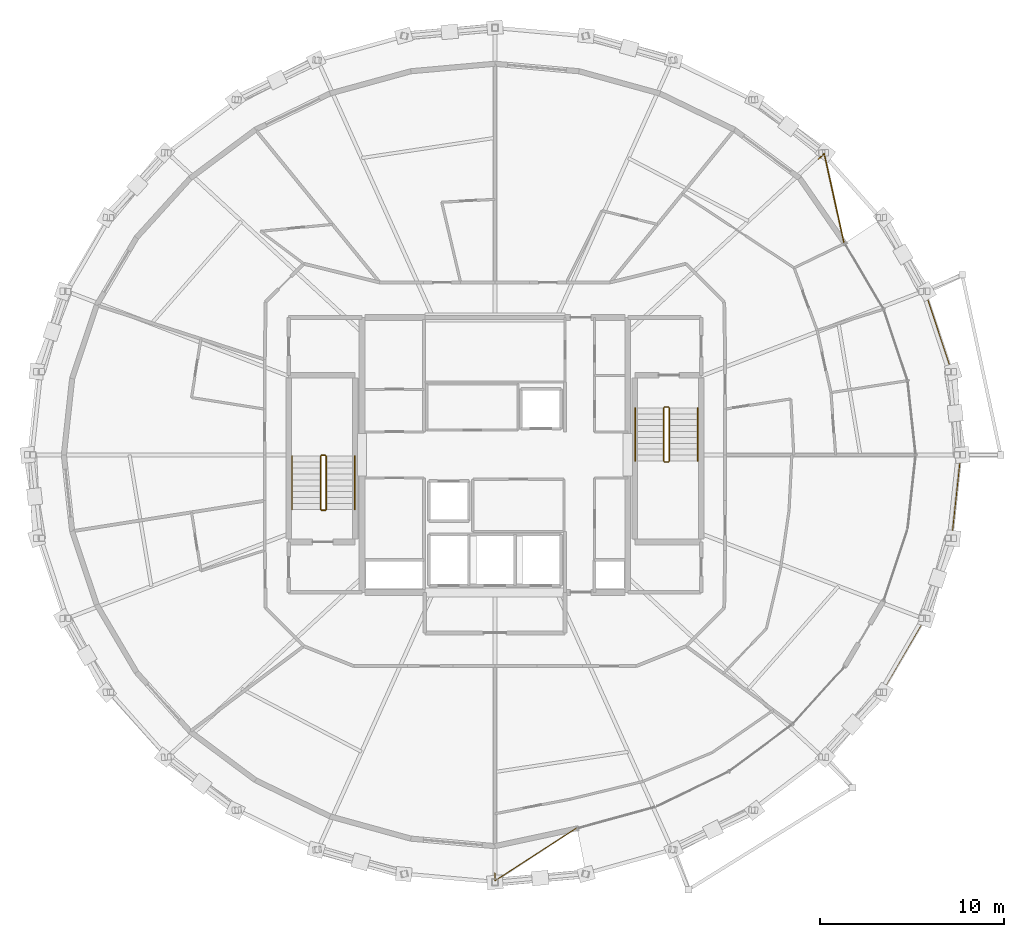
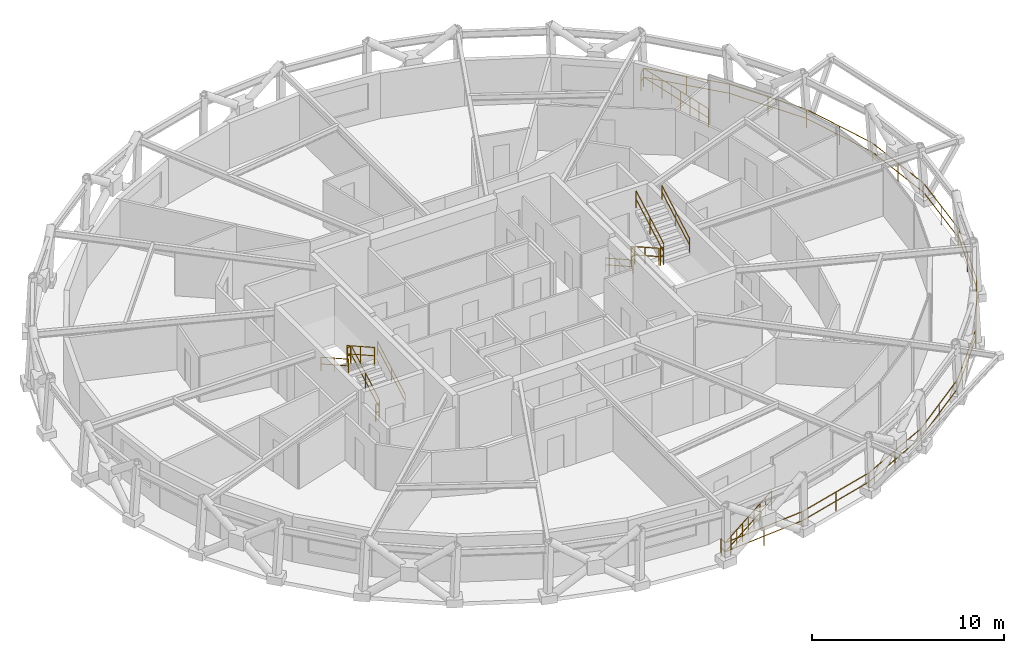
# One storey, part 18 of 18: 15 railings.
"""IFC4 building model written with IfcOpenShell, lengths in metres."""

from ifc_helpers import new_model, si_unit, direction, frame, origin, origin_2d, place, context, subcontext, project, spatial, circle, extrude, material, type_object, element, save


model = new_model("IFC4")

# Units and contexts
model_context = context("Model", 3, precision=1e-05, world=origin(), true_north=direction((0.0, 1.0)))
body_context = subcontext(model_context, "Body", "Model", "MODEL_VIEW")
ifc_project = project(units=[si_unit("LENGTHUNIT", "METRE"), si_unit("AREAUNIT", "SQUARE_METRE"), si_unit("VOLUMEUNIT", "CUBIC_METRE"), si_unit("PLANEANGLEUNIT", "RADIAN"), si_unit("MASSUNIT", "GRAM", prefix="KILO")], contexts=[model_context])

# Site, building, storey
site_placement = place(None, origin())
site = spatial("IfcSite", under=ifc_project, at=site_placement, CompositionType="ELEMENT")
building_placement = place(site_placement, origin())
building = spatial("IfcBuilding", under=site, at=building_placement, Name="Veldorina Hangang Commons", CompositionType="ELEMENT")
storey_placement = place(building_placement, frame((0.0, 0.0, 218.39990234375)))
storey = spatial("IfcBuildingStorey", under=building, at=storey_placement, Name="L56", CompositionType="ELEMENT", Elevation=218.39990234375)

# Railings
ifc_material_1 = material(Name="Glass Laminated Safety Balustrade", Category="glass")
railing_type_1 = type_object("IfcRailingType", Name="RL-BAL-LOGGIA", PredefinedType="BALUSTRADE", material=ifc_material_1)
railing_1_placement = place(storey_placement, frame((32.0, 1.333251953125, 0.0)))
element("IfcRailing", 1, at=railing_1_placement, inside=storey, type_object=railing_type_1, Name="L56 sky-garden loggia end balustrade A", PredefinedType="BALUSTRADE", context=body_context, shape_type="SweptSolid", body=[
    extrude(circle(Radius=0.02392578125, at=origin_2d()), frame((0.0, 0.0, 1.17578125), z_axis=(0.0, -1.0, 0.0), x_axis=(1.0, 0.0, 0.0)), (0.0, 0.0, 1.0), 0.419921875),
    extrude(circle(Radius=0.02392578125, at=origin_2d()), frame((0.0, 0.0, 0.60009765625), z_axis=(0.0, -1.0, 0.0), x_axis=(1.0, 0.0, 0.0)), (0.0, 0.0, 1.0), 0.419921875),
    extrude(circle(Radius=0.02392578125, at=origin_2d()), frame((0.0, -0.419921875, 1.17578125), z_axis=(0.839394318151, 0.543522932962, 0.0), x_axis=(-0.543522932962, 0.839394318151, 0.0)), (0.0, 0.0, 1.0), 5.291015625),
    extrude(circle(Radius=0.02392578125, at=origin_2d()), frame((0.0, -0.419921875, 0.60009765625), z_axis=(0.839394318151, 0.543522932962, 0.0), x_axis=(-0.543522932962, 0.839394318151, 0.0)), (0.0, 0.0, 1.0), 5.291015625),
    extrude(circle(Radius=0.02099609375, at=origin_2d()), origin(), (0.0, 0.0, 1.0), 1.15185546875),
    extrude(circle(Radius=0.02099609375, at=origin_2d()), frame((0.0, -0.419921875, 0.0)), (0.0, 0.0, 1.0), 1.15185546875),
    extrude(circle(Radius=0.02099609375, at=origin_2d()), frame((0.55517578125, -0.060546875, 0.0)), (0.0, 0.0, 1.0), 1.15185546875),
    extrude(circle(Radius=0.02099609375, at=origin_2d()), frame((1.1103515625, 0.299072265625, 0.0)), (0.0, 0.0, 1.0), 1.15185546875),
    extrude(circle(Radius=0.02099609375, at=origin_2d()), frame((1.66552734375, 0.658447265625, 0.0)), (0.0, 0.0, 1.0), 1.15185546875),
    extrude(circle(Radius=0.02099609375, at=origin_2d()), frame((2.220703125, 1.01806640625, 0.0)), (0.0, 0.0, 1.0), 1.15185546875),
    extrude(circle(Radius=0.02099609375, at=origin_2d()), frame((2.775634765625, 1.37744140625, 0.0)), (0.0, 0.0, 1.0), 1.15185546875),
    extrude(circle(Radius=0.02099609375, at=origin_2d()), frame((3.330810546875, 1.73681640625, 0.0)), (0.0, 0.0, 1.0), 1.15185546875),
    extrude(circle(Radius=0.02099609375, at=origin_2d()), frame((3.885986328125, 2.096435546875, 0.0)), (0.0, 0.0, 1.0), 1.15185546875),
    extrude(circle(Radius=0.02099609375, at=origin_2d()), frame((4.441162109375, 2.455810546875, 0.0)), (0.0, 0.0, 1.0), 1.15185546875),
])
railing_2_placement = place(storey_placement, frame((49.541259765625, 40.043701171875, 0.0)))
element("IfcRailing", 2, at=railing_2_placement, inside=storey, type_object=railing_type_1, Name="L56 sky-garden loggia end balustrade B", PredefinedType="BALUSTRADE", context=body_context, shape_type="SweptSolid", body=[
    extrude(circle(Radius=0.02392578125, at=origin_2d()), frame((0.0, 0.0, 1.17578125), z_axis=(0.737515900545, 0.675329768663, 0.0), x_axis=(-0.675329768663, 0.737515900545, 0.0)), (0.0, 0.0, 1.0), 0.420166015625),
    extrude(circle(Radius=0.02392578125, at=origin_2d()), frame((0.0, 0.0, 0.60009765625), z_axis=(0.737515900545, 0.675329768663, 0.0), x_axis=(-0.675329768663, 0.737515900545, 0.0)), (0.0, 0.0, 1.0), 0.420166015625),
    extrude(circle(Radius=0.02392578125, at=origin_2d()), frame((0.309814453125, 0.28369140625, 1.17578125), z_axis=(0.216066188557, -0.976378718614, 0.0), x_axis=(0.976378718614, 0.216066188557, 0.0)), (0.0, 0.0, 1.0), 4.995361328125),
    extrude(circle(Radius=0.02392578125, at=origin_2d()), frame((0.309814453125, 0.28369140625, 0.60009765625), z_axis=(0.216066188557, -0.976378718614, 0.0), x_axis=(0.976378718614, 0.216066188557, 0.0)), (0.0, 0.0, 1.0), 4.995361328125),
    extrude(circle(Radius=0.02099609375, at=origin_2d()), origin(), (0.0, 0.0, 1.0), 1.15185546875),
    extrude(circle(Radius=0.02099609375, at=origin_2d()), frame((0.309814453125, 0.28369140625, 0.0)), (0.0, 0.0, 1.0), 1.15185546875),
    extrude(circle(Radius=0.02099609375, at=origin_2d()), frame((0.464111328125, -0.4130859375, 0.0)), (0.0, 0.0, 1.0), 1.15185546875),
    extrude(circle(Radius=0.02099609375, at=origin_2d()), frame((0.6181640625, -1.10986328125, 0.0)), (0.0, 0.0, 1.0), 1.15185546875),
    extrude(circle(Radius=0.02099609375, at=origin_2d()), frame((0.7724609375, -1.806640625, 0.0)), (0.0, 0.0, 1.0), 1.15185546875),
    extrude(circle(Radius=0.02099609375, at=origin_2d()), frame((0.926513671875, -2.50341796875, 0.0)), (0.0, 0.0, 1.0), 1.15185546875),
    extrude(circle(Radius=0.02099609375, at=origin_2d()), frame((1.080810546875, -3.2001953125, 0.0)), (0.0, 0.0, 1.0), 1.15185546875),
    extrude(circle(Radius=0.02099609375, at=origin_2d()), frame((1.23486328125, -3.89697265625, 0.0)), (0.0, 0.0, 1.0), 1.15185546875),
    extrude(circle(Radius=0.02099609375, at=origin_2d()), frame((1.38916015625, -4.59375, 0.0)), (0.0, 0.0, 1.0), 1.15185546875),
])
railing_3_placement = place(storey_placement, frame((32.0, 0.913330078125, 0.0)))
element("IfcRailing", 3, at=railing_3_placement, inside=storey, type_object=railing_type_1, Name="L56 sky-garden loggia outer balustrade", PredefinedType="BALUSTRADE", context=body_context, shape_type="SweptSolid", body=[
    extrude(circle(Radius=0.02392578125, at=origin_2d()), frame((0.0, 0.0, 1.17578125), z_axis=(0.995971352381, 0.089671986908, 0.0), x_axis=(-0.089671986908, 0.995971352381, 0.0)), (0.0, 0.0, 1.0), 4.9443359375),
    extrude(circle(Radius=0.02392578125, at=origin_2d()), frame((0.0, 0.0, 0.60009765625), z_axis=(0.995971352381, 0.089671986908, 0.0), x_axis=(-0.089671986908, 0.995971352381, 0.0)), (0.0, 0.0, 1.0), 4.9443359375),
    extrude(circle(Radius=0.02392578125, at=origin_2d()), frame((4.92431640625, 0.443359375, 1.17578125), z_axis=(0.963646624865, 0.267180056118, 0.0), x_axis=(-0.267180056118, 0.963646624865, 0.0)), (0.0, 0.0, 1.0), 4.914306640625),
    extrude(circle(Radius=0.02392578125, at=origin_2d()), frame((4.92431640625, 0.443359375, 0.60009765625), z_axis=(0.963646624865, 0.267180056118, 0.0), x_axis=(-0.267180056118, 0.963646624865, 0.0)), (0.0, 0.0, 1.0), 4.914306640625),
    extrude(circle(Radius=0.02392578125, at=origin_2d()), frame((9.659912109375, 1.75634765625, 1.17578125), z_axis=(0.898490536886, 0.438992887331, 0.0), x_axis=(-0.438992887331, 0.898490536886, 0.0)), (0.0, 0.0, 1.0), 4.85791015625),
    extrude(circle(Radius=0.02392578125, at=origin_2d()), frame((9.659912109375, 1.75634765625, 0.60009765625), z_axis=(0.898490536886, 0.438992887331, 0.0), x_axis=(-0.438992887331, 0.898490536886, 0.0)), (0.0, 0.0, 1.0), 4.85791015625),
    extrude(circle(Radius=0.02392578125, at=origin_2d()), frame((14.024658203125, 3.888916015625, 1.17578125), z_axis=(0.799944873772, 0.600073494604, 0.0), x_axis=(-0.600073494604, 0.799944873772, 0.0)), (0.0, 0.0, 1.0), 4.783447265625),
    extrude(circle(Radius=0.02392578125, at=origin_2d()), frame((14.024658203125, 3.888916015625, 0.60009765625), z_axis=(0.799944873772, 0.600073494604, 0.0), x_axis=(-0.600073494604, 0.799944873772, 0.0)), (0.0, 0.0, 1.0), 4.783447265625),
    extrude(circle(Radius=0.02392578125, at=origin_2d()), frame((17.85107421875, 6.75927734375, 1.17578125), z_axis=(0.668043227933, 0.744122466811, 0.0), x_axis=(-0.744122466811, 0.668043227933, 0.0)), (0.0, 0.0, 1.0), 4.701171875),
    extrude(circle(Radius=0.02392578125, at=origin_2d()), frame((17.85107421875, 6.75927734375, 0.60009765625), z_axis=(0.668043227933, 0.744122466811, 0.0), x_axis=(-0.744122466811, 0.668043227933, 0.0)), (0.0, 0.0, 1.0), 4.701171875),
    extrude(circle(Radius=0.02392578125, at=origin_2d()), frame((20.99169921875, 10.257568359375, 1.17578125), z_axis=(0.504773463638, 0.863251846454, 0.0), x_axis=(-0.863251846454, 0.504773463638, 0.0)), (0.0, 0.0, 1.0), 4.624267578125),
    extrude(circle(Radius=0.02392578125, at=origin_2d()), frame((20.99169921875, 10.257568359375, 0.60009765625), z_axis=(0.504773463638, 0.863251846454, 0.0), x_axis=(-0.863251846454, 0.504773463638, 0.0)), (0.0, 0.0, 1.0), 4.624267578125),
    extrude(circle(Radius=0.02392578125, at=origin_2d()), frame((23.325927734375, 14.24951171875, 1.17578125), z_axis=(0.314911541309, 0.949121025555, 0.0), x_axis=(-0.949121025555, 0.314911541309, 0.0)), (0.0, 0.0, 1.0), 4.56396484375),
    extrude(circle(Radius=0.02392578125, at=origin_2d()), frame((23.325927734375, 14.24951171875, 0.60009765625), z_axis=(0.314911541309, 0.949121025555, 0.0), x_axis=(-0.949121025555, 0.314911541309, 0.0)), (0.0, 0.0, 1.0), 4.56396484375),
    extrude(circle(Radius=0.02392578125, at=origin_2d()), frame((24.76318359375, 18.581298828125, 1.17578125), z_axis=(0.107160871941, 0.994241694723, 0.0), x_axis=(-0.994241694723, 0.107160871941, 0.0)), (0.0, 0.0, 1.0), 4.531494140625),
    extrude(circle(Radius=0.02392578125, at=origin_2d()), frame((24.76318359375, 18.581298828125, 0.60009765625), z_axis=(0.107160871941, 0.994241694723, 0.0), x_axis=(-0.994241694723, 0.107160871941, 0.0)), (0.0, 0.0, 1.0), 4.531494140625),
    extrude(circle(Radius=0.02392578125, at=origin_2d()), frame((25.248779296875, 23.086669921875, 1.17578125), z_axis=(-0.107160871941, 0.994241694723, 0.0), x_axis=(-0.994241694723, -0.107160871941, 0.0)), (0.0, 0.0, 1.0), 4.531494140625),
    extrude(circle(Radius=0.02392578125, at=origin_2d()), frame((25.248779296875, 23.086669921875, 0.60009765625), z_axis=(-0.107160871941, 0.994241694723, 0.0), x_axis=(-0.994241694723, -0.107160871941, 0.0)), (0.0, 0.0, 1.0), 4.531494140625),
    extrude(circle(Radius=0.02392578125, at=origin_2d()), frame((24.76318359375, 27.592041015625, 1.17578125), z_axis=(-0.314911541309, 0.949121025555, 0.0), x_axis=(-0.949121025555, -0.314911541309, 0.0)), (0.0, 0.0, 1.0), 4.56396484375),
    extrude(circle(Radius=0.02392578125, at=origin_2d()), frame((24.76318359375, 27.592041015625, 0.60009765625), z_axis=(-0.314911541309, 0.949121025555, 0.0), x_axis=(-0.949121025555, -0.314911541309, 0.0)), (0.0, 0.0, 1.0), 4.56396484375),
    extrude(circle(Radius=0.02392578125, at=origin_2d()), frame((23.325927734375, 31.923828125, 1.17578125), z_axis=(-0.504773463638, 0.863251846454, 0.0), x_axis=(-0.863251846454, -0.504773463638, 0.0)), (0.0, 0.0, 1.0), 4.624267578125),
    extrude(circle(Radius=0.02392578125, at=origin_2d()), frame((23.325927734375, 31.923828125, 0.60009765625), z_axis=(-0.504773463638, 0.863251846454, 0.0), x_axis=(-0.863251846454, -0.504773463638, 0.0)), (0.0, 0.0, 1.0), 4.624267578125),
    extrude(circle(Radius=0.02392578125, at=origin_2d()), frame((20.99169921875, 35.915771484375, 1.17578125), z_axis=(-0.668043227933, 0.744122466811, 0.0), x_axis=(-0.744122466811, -0.668043227933, 0.0)), (0.0, 0.0, 1.0), 4.701171875),
    extrude(circle(Radius=0.02392578125, at=origin_2d()), frame((20.99169921875, 35.915771484375, 0.60009765625), z_axis=(-0.668043227933, 0.744122466811, 0.0), x_axis=(-0.744122466811, -0.668043227933, 0.0)), (0.0, 0.0, 1.0), 4.701171875),
    extrude(circle(Radius=0.02099609375, at=origin_2d()), origin(), (0.0, 0.0, 1.0), 1.15185546875),
    extrude(circle(Radius=0.02099609375, at=origin_2d()), frame((2.462158203125, 0.2216796875, 0.0)), (0.0, 0.0, 1.0), 1.15185546875),
    extrude(circle(Radius=0.02099609375, at=origin_2d()), frame((4.92431640625, 0.443359375, 0.0)), (0.0, 0.0, 1.0), 1.15185546875),
    extrude(circle(Radius=0.02099609375, at=origin_2d()), frame((7.2919921875, 1.099853515625, 0.0)), (0.0, 0.0, 1.0), 1.15185546875),
    extrude(circle(Radius=0.02099609375, at=origin_2d()), frame((9.659912109375, 1.75634765625, 0.0)), (0.0, 0.0, 1.0), 1.15185546875),
    extrude(circle(Radius=0.02099609375, at=origin_2d()), frame((11.84228515625, 2.82275390625, 0.0)), (0.0, 0.0, 1.0), 1.15185546875),
    extrude(circle(Radius=0.02099609375, at=origin_2d()), frame((14.024658203125, 3.888916015625, 0.0)), (0.0, 0.0, 1.0), 1.15185546875),
    extrude(circle(Radius=0.02099609375, at=origin_2d()), frame((15.93798828125, 5.32421875, 0.0)), (0.0, 0.0, 1.0), 1.15185546875),
    extrude(circle(Radius=0.02099609375, at=origin_2d()), frame((17.85107421875, 6.75927734375, 0.0)), (0.0, 0.0, 1.0), 1.15185546875),
    extrude(circle(Radius=0.02099609375, at=origin_2d()), frame((19.42138671875, 8.50830078125, 0.0)), (0.0, 0.0, 1.0), 1.15185546875),
    extrude(circle(Radius=0.02099609375, at=origin_2d()), frame((20.99169921875, 10.257568359375, 0.0)), (0.0, 0.0, 1.0), 1.15185546875),
    extrude(circle(Radius=0.02099609375, at=origin_2d()), frame((22.15869140625, 12.25341796875, 0.0)), (0.0, 0.0, 1.0), 1.15185546875),
    extrude(circle(Radius=0.02099609375, at=origin_2d()), frame((23.325927734375, 14.24951171875, 0.0)), (0.0, 0.0, 1.0), 1.15185546875),
    extrude(circle(Radius=0.02099609375, at=origin_2d()), frame((24.04443359375, 16.41552734375, 0.0)), (0.0, 0.0, 1.0), 1.15185546875),
    extrude(circle(Radius=0.02099609375, at=origin_2d()), frame((24.76318359375, 18.581298828125, 0.0)), (0.0, 0.0, 1.0), 1.15185546875),
    extrude(circle(Radius=0.02099609375, at=origin_2d()), frame((25.005859375, 20.833984375, 0.0)), (0.0, 0.0, 1.0), 1.15185546875),
    extrude(circle(Radius=0.02099609375, at=origin_2d()), frame((25.248779296875, 23.086669921875, 0.0)), (0.0, 0.0, 1.0), 1.15185546875),
    extrude(circle(Radius=0.02099609375, at=origin_2d()), frame((25.005859375, 25.33935546875, 0.0)), (0.0, 0.0, 1.0), 1.15185546875),
    extrude(circle(Radius=0.02099609375, at=origin_2d()), frame((24.76318359375, 27.592041015625, 0.0)), (0.0, 0.0, 1.0), 1.15185546875),
    extrude(circle(Radius=0.02099609375, at=origin_2d()), frame((24.04443359375, 29.7578125, 0.0)), (0.0, 0.0, 1.0), 1.15185546875),
    extrude(circle(Radius=0.02099609375, at=origin_2d()), frame((23.325927734375, 31.923828125, 0.0)), (0.0, 0.0, 1.0), 1.15185546875),
    extrude(circle(Radius=0.02099609375, at=origin_2d()), frame((22.15869140625, 33.919921875, 0.0)), (0.0, 0.0, 1.0), 1.15185546875),
    extrude(circle(Radius=0.02099609375, at=origin_2d()), frame((20.99169921875, 35.915771484375, 0.0)), (0.0, 0.0, 1.0), 1.15185546875),
    extrude(circle(Radius=0.02099609375, at=origin_2d()), frame((19.42138671875, 37.6650390625, 0.0)), (0.0, 0.0, 1.0), 1.15185546875),
    extrude(circle(Radius=0.02099609375, at=origin_2d()), frame((17.85107421875, 39.4140625, 0.0)), (0.0, 0.0, 1.0), 1.15185546875),
])
ifc_material_2 = material(Name="Steel Painted Balustrade", Category="steel")
railing_type_2 = type_object("IfcRailingType", Name="RL-GRD-STAIR", PredefinedType="GUARDRAIL", material=ifc_material_2)
railing_4_placement = place(storey_placement, frame((22.85009765625, 21.050048828125, 0.18017578125)))
element("IfcRailing", 4, at=railing_4_placement, inside=storey, type_object=railing_type_2, Name="L56 ST-1 stair guard 1", PredefinedType="GUARDRAIL", context=body_context, shape_type="SweptSolid", body=[
    extrude(circle(Radius=0.02392578125, at=origin_2d()), frame((0.0, 0.0, 1.076171875), z_axis=(0.0, 0.871583430097, 0.490247207417), x_axis=(-1.0, 0.0, 0.0)), (0.0, 0.0, 1.0), 3.30419921875),
    extrude(circle(Radius=0.02392578125, at=origin_2d()), frame((0.0, 0.0, 0.550048828125), z_axis=(0.0, 0.871583430097, 0.490247207417), x_axis=(-1.0, 0.0, 0.0)), (0.0, 0.0, 1.0), 3.30419921875),
    extrude(circle(Radius=0.02099609375, at=origin_2d()), origin(), (0.0, 0.0, 1.0), 1.052001953125),
    extrude(circle(Radius=0.02099609375, at=origin_2d()), frame((0.0, 1.43994140625, 0.81005859375)), (0.0, 0.0, 1.0), 1.052001953125),
    extrude(circle(Radius=0.02099609375, at=origin_2d()), frame((0.0, 2.8798828125, 1.619873046875)), (0.0, 0.0, 1.0), 1.052001953125),
])
railing_5_placement = place(storey_placement, frame((22.800048828125, 23.97998046875, 1.800048828125)))
element("IfcRailing", 5, at=railing_5_placement, inside=storey, type_object=railing_type_2, Name="L56 ST-1 stair guard 2", PredefinedType="GUARDRAIL", context=body_context, shape_type="SweptSolid", body=[
    extrude(circle(Radius=0.02392578125, at=origin_2d()), frame((0.0, 0.0, 1.076171875), z_axis=(-1.0, 0.0, 0.0), x_axis=(0.0, -1.0, 0.0)), (0.0, 0.0, 1.0), 0.199951171875),
    extrude(circle(Radius=0.02392578125, at=origin_2d()), frame((0.0, 0.0, 0.550048828125), z_axis=(-1.0, 0.0, 0.0), x_axis=(0.0, -1.0, 0.0)), (0.0, 0.0, 1.0), 0.199951171875),
    extrude(circle(Radius=0.02099609375, at=origin_2d()), origin(), (0.0, 0.0, 1.0), 1.052001953125),
    extrude(circle(Radius=0.02099609375, at=origin_2d()), frame((-0.199951171875, 0.0, 0.0)), (0.0, 0.0, 1.0), 1.052001953125),
])
railing_6_placement = place(storey_placement, frame((22.550048828125, 23.929931640625, 1.97998046875)))
element("IfcRailing", 6, at=railing_6_placement, inside=storey, type_object=railing_type_2, Name="L56 ST-1 stair guard 3", PredefinedType="GUARDRAIL", context=body_context, shape_type="SweptSolid", body=[
    extrude(circle(Radius=0.02392578125, at=origin_2d()), frame((0.0, 0.0, 1.076171875), z_axis=(0.0, -0.87155185771, 0.490303333991), x_axis=(1.0, 0.0, 0.0)), (0.0, 0.0, 1.0), 3.30419921875),
    extrude(circle(Radius=0.02392578125, at=origin_2d()), frame((0.0, 0.0, 0.550048828125), z_axis=(0.0, -0.87155185771, 0.490303333991), x_axis=(1.0, 0.0, 0.0)), (0.0, 0.0, 1.0), 3.30419921875),
    extrude(circle(Radius=0.02099609375, at=origin_2d()), origin(), (0.0, 0.0, 1.0), 1.052001953125),
    extrude(circle(Radius=0.02099609375, at=origin_2d()), frame((0.0, -1.43994140625, 0.81005859375)), (0.0, 0.0, 1.0), 1.052001953125),
    extrude(circle(Radius=0.02099609375, at=origin_2d()), frame((0.0, -2.8798828125, 1.6201171875)), (0.0, 0.0, 1.0), 1.052001953125),
])
railing_7_placement = place(storey_placement, frame((22.800048828125, 21.0, 0.0)))
element("IfcRailing", 7, at=railing_7_placement, inside=storey, type_object=railing_type_2, Name="L56 ST-1 stair guard 4", PredefinedType="GUARDRAIL", context=body_context, shape_type="SweptSolid", body=[
    extrude(circle(Radius=0.02392578125, at=origin_2d()), frame((0.0, 0.0, 1.076171875), z_axis=(-1.0, 0.0, 0.0), x_axis=(0.0, -1.0, 0.0)), (0.0, 0.0, 1.0), 0.199951171875),
    extrude(circle(Radius=0.02392578125, at=origin_2d()), frame((0.0, 0.0, 0.550048828125), z_axis=(-1.0, 0.0, 0.0), x_axis=(0.0, -1.0, 0.0)), (0.0, 0.0, 1.0), 0.199951171875),
    extrude(circle(Radius=0.02099609375, at=origin_2d()), origin(), (0.0, 0.0, 1.0), 1.052001953125),
    extrude(circle(Radius=0.02099609375, at=origin_2d()), frame((-0.199951171875, 0.0, 0.0)), (0.0, 0.0, 1.0), 1.052001953125),
])
railing_8_placement = place(storey_placement, frame((41.14990234375, 26.550048828125, 0.18017578125)))
element("IfcRailing", 8, at=railing_8_placement, inside=storey, type_object=railing_type_2, Name="L56 ST-2 stair guard 1", PredefinedType="GUARDRAIL", context=body_context, shape_type="SweptSolid", body=[
    extrude(circle(Radius=0.02392578125, at=origin_2d()), frame((0.0, 0.0, 1.076171875), z_axis=(0.0, -0.871601186807, 0.490215637405), x_axis=(1.0, 0.0, 0.0)), (0.0, 0.0, 1.0), 3.304443359375),
    extrude(circle(Radius=0.02392578125, at=origin_2d()), frame((0.0, 0.0, 0.550048828125), z_axis=(0.0, -0.871601186807, 0.490215637405), x_axis=(1.0, 0.0, 0.0)), (0.0, 0.0, 1.0), 3.304443359375),
    extrude(circle(Radius=0.02099609375, at=origin_2d()), origin(), (0.0, 0.0, 1.0), 1.052001953125),
    extrude(circle(Radius=0.02099609375, at=origin_2d()), frame((0.0, -1.43994140625, 0.81005859375)), (0.0, 0.0, 1.0), 1.052001953125),
    extrude(circle(Radius=0.02099609375, at=origin_2d()), frame((0.0, -2.880126953125, 1.619873046875)), (0.0, 0.0, 1.0), 1.052001953125),
])
railing_9_placement = place(storey_placement, frame((41.199951171875, 23.6201171875, 1.800048828125)))
element("IfcRailing", 9, at=railing_9_placement, inside=storey, type_object=railing_type_2, Name="L56 ST-2 stair guard 2", PredefinedType="GUARDRAIL", context=body_context, shape_type="SweptSolid", body=[
    extrude(circle(Radius=0.02392578125, at=origin_2d()), frame((0.0, 0.0, 1.076171875), z_axis=(1.0, 0.0, 0.0), x_axis=(0.0, 1.0, 0.0)), (0.0, 0.0, 1.0), 0.199951171875),
    extrude(circle(Radius=0.02392578125, at=origin_2d()), frame((0.0, 0.0, 0.550048828125), z_axis=(1.0, 0.0, 0.0), x_axis=(0.0, 1.0, 0.0)), (0.0, 0.0, 1.0), 0.199951171875),
    extrude(circle(Radius=0.02099609375, at=origin_2d()), origin(), (0.0, 0.0, 1.0), 1.052001953125),
    extrude(circle(Radius=0.02099609375, at=origin_2d()), frame((0.199951171875, 0.0, 0.0)), (0.0, 0.0, 1.0), 1.052001953125),
])
railing_10_placement = place(storey_placement, frame((41.449951171875, 23.669921875, 1.97998046875)))
element("IfcRailing", 10, at=railing_10_placement, inside=storey, type_object=railing_type_2, Name="L56 ST-2 stair guard 3", PredefinedType="GUARDRAIL", context=body_context, shape_type="SweptSolid", body=[
    extrude(circle(Radius=0.02392578125, at=origin_2d()), frame((0.0, 0.0, 1.076171875), z_axis=(0.0, 0.871569617843, 0.490271762652), x_axis=(-1.0, 0.0, 0.0)), (0.0, 0.0, 1.0), 3.304443359375),
    extrude(circle(Radius=0.02392578125, at=origin_2d()), frame((0.0, 0.0, 0.550048828125), z_axis=(0.0, 0.871569617843, 0.490271762652), x_axis=(-1.0, 0.0, 0.0)), (0.0, 0.0, 1.0), 3.304443359375),
    extrude(circle(Radius=0.02099609375, at=origin_2d()), origin(), (0.0, 0.0, 1.0), 1.052001953125),
    extrude(circle(Radius=0.02099609375, at=origin_2d()), frame((0.0, 1.43994140625, 0.81005859375)), (0.0, 0.0, 1.0), 1.052001953125),
    extrude(circle(Radius=0.02099609375, at=origin_2d()), frame((0.0, 2.880126953125, 1.6201171875)), (0.0, 0.0, 1.0), 1.052001953125),
])
railing_11_placement = place(storey_placement, frame((41.199951171875, 26.60009765625, 0.0)))
element("IfcRailing", 11, at=railing_11_placement, inside=storey, type_object=railing_type_2, Name="L56 ST-2 stair guard 4", PredefinedType="GUARDRAIL", context=body_context, shape_type="SweptSolid", body=[
    extrude(circle(Radius=0.02392578125, at=origin_2d()), frame((0.0, 0.0, 1.076171875), z_axis=(1.0, 0.0, 0.0), x_axis=(0.0, 1.0, 0.0)), (0.0, 0.0, 1.0), 0.199951171875),
    extrude(circle(Radius=0.02392578125, at=origin_2d()), frame((0.0, 0.0, 0.550048828125), z_axis=(1.0, 0.0, 0.0), x_axis=(0.0, 1.0, 0.0)), (0.0, 0.0, 1.0), 0.199951171875),
    extrude(circle(Radius=0.02099609375, at=origin_2d()), origin(), (0.0, 0.0, 1.0), 1.052001953125),
    extrude(circle(Radius=0.02099609375, at=origin_2d()), frame((0.199951171875, 0.0, 0.0)), (0.0, 0.0, 1.0), 1.052001953125),
])
ifc_material_3 = material(Name="Stainless Steel Brushed 316", Category="steel")
railing_type_3 = type_object("IfcRailingType", Name="RL-HND-STAIR", PredefinedType="HANDRAIL", material=ifc_material_3)
railing_12_placement = place(storey_placement, frame((24.39990234375, 21.050048828125, 0.18017578125)))
element("IfcRailing", 12, at=railing_12_placement, inside=storey, type_object=railing_type_3, Name="L56 ST-1 stair handrail 1", PredefinedType="HANDRAIL", context=body_context, shape_type="SweptSolid", body=[
    extrude(circle(Radius=0.02392578125, at=origin_2d()), frame((0.0, 0.0, 0.8759765625), z_axis=(0.0, 0.871583430097, 0.490247207417), x_axis=(-1.0, 0.0, 0.0)), (0.0, 0.0, 1.0), 3.30419921875),
    extrude(circle(Radius=0.02392578125, at=origin_2d()), frame((0.0, 0.0, 0.449951171875), z_axis=(0.0, 0.871583430097, 0.490247207417), x_axis=(-1.0, 0.0, 0.0)), (0.0, 0.0, 1.0), 3.30419921875),
    extrude(circle(Radius=0.02099609375, at=origin_2d()), origin(), (0.0, 0.0, 1.0), 0.851806640625),
    extrude(circle(Radius=0.02099609375, at=origin_2d()), frame((0.0, 1.43994140625, 0.81005859375)), (0.0, 0.0, 1.0), 0.851806640625),
    extrude(circle(Radius=0.02099609375, at=origin_2d()), frame((0.0, 2.8798828125, 1.619873046875)), (0.0, 0.0, 1.0), 0.851806640625),
])
railing_13_placement = place(storey_placement, frame((21.0, 23.929931640625, 1.97998046875)))
element("IfcRailing", 13, at=railing_13_placement, inside=storey, type_object=railing_type_3, Name="L56 ST-1 stair handrail 2", PredefinedType="HANDRAIL", context=body_context, shape_type="SweptSolid", body=[
    extrude(circle(Radius=0.02392578125, at=origin_2d()), frame((0.0, 0.0, 0.8759765625), z_axis=(0.0, -0.87155185771, 0.490303333991), x_axis=(1.0, 0.0, 0.0)), (0.0, 0.0, 1.0), 3.30419921875),
    extrude(circle(Radius=0.02392578125, at=origin_2d()), frame((0.0, 0.0, 0.449951171875), z_axis=(0.0, -0.87155185771, 0.490303333991), x_axis=(1.0, 0.0, 0.0)), (0.0, 0.0, 1.0), 3.30419921875),
    extrude(circle(Radius=0.02099609375, at=origin_2d()), origin(), (0.0, 0.0, 1.0), 0.851806640625),
    extrude(circle(Radius=0.02099609375, at=origin_2d()), frame((0.0, -1.43994140625, 0.81005859375)), (0.0, 0.0, 1.0), 0.851806640625),
    extrude(circle(Radius=0.02099609375, at=origin_2d()), frame((0.0, -2.8798828125, 1.6201171875)), (0.0, 0.0, 1.0), 0.851806640625),
])
railing_14_placement = place(storey_placement, frame((39.60009765625, 26.550048828125, 0.18017578125)))
element("IfcRailing", 14, at=railing_14_placement, inside=storey, type_object=railing_type_3, Name="L56 ST-2 stair handrail 1", PredefinedType="HANDRAIL", context=body_context, shape_type="SweptSolid", body=[
    extrude(circle(Radius=0.02392578125, at=origin_2d()), frame((0.0, 0.0, 0.8759765625), z_axis=(0.0, -0.871601186807, 0.490215637405), x_axis=(1.0, 0.0, 0.0)), (0.0, 0.0, 1.0), 3.304443359375),
    extrude(circle(Radius=0.02392578125, at=origin_2d()), frame((0.0, 0.0, 0.449951171875), z_axis=(0.0, -0.871601186807, 0.490215637405), x_axis=(1.0, 0.0, 0.0)), (0.0, 0.0, 1.0), 3.304443359375),
    extrude(circle(Radius=0.02099609375, at=origin_2d()), origin(), (0.0, 0.0, 1.0), 0.851806640625),
    extrude(circle(Radius=0.02099609375, at=origin_2d()), frame((0.0, -1.43994140625, 0.81005859375)), (0.0, 0.0, 1.0), 0.851806640625),
    extrude(circle(Radius=0.02099609375, at=origin_2d()), frame((0.0, -2.880126953125, 1.619873046875)), (0.0, 0.0, 1.0), 0.851806640625),
])
railing_15_placement = place(storey_placement, frame((43.0, 23.669921875, 1.97998046875)))
element("IfcRailing", 15, at=railing_15_placement, inside=storey, type_object=railing_type_3, Name="L56 ST-2 stair handrail 2", PredefinedType="HANDRAIL", context=body_context, shape_type="SweptSolid", body=[
    extrude(circle(Radius=0.02392578125, at=origin_2d()), frame((0.0, 0.0, 0.8759765625), z_axis=(0.0, 0.871569617843, 0.490271762652), x_axis=(-1.0, 0.0, 0.0)), (0.0, 0.0, 1.0), 3.304443359375),
    extrude(circle(Radius=0.02392578125, at=origin_2d()), frame((0.0, 0.0, 0.449951171875), z_axis=(0.0, 0.871569617843, 0.490271762652), x_axis=(-1.0, 0.0, 0.0)), (0.0, 0.0, 1.0), 3.304443359375),
    extrude(circle(Radius=0.02099609375, at=origin_2d()), origin(), (0.0, 0.0, 1.0), 0.851806640625),
    extrude(circle(Radius=0.02099609375, at=origin_2d()), frame((0.0, 1.43994140625, 0.81005859375)), (0.0, 0.0, 1.0), 0.851806640625),
    extrude(circle(Radius=0.02099609375, at=origin_2d()), frame((0.0, 2.880126953125, 1.6201171875)), (0.0, 0.0, 1.0), 0.851806640625),
])

save(model, "model.ifc")
